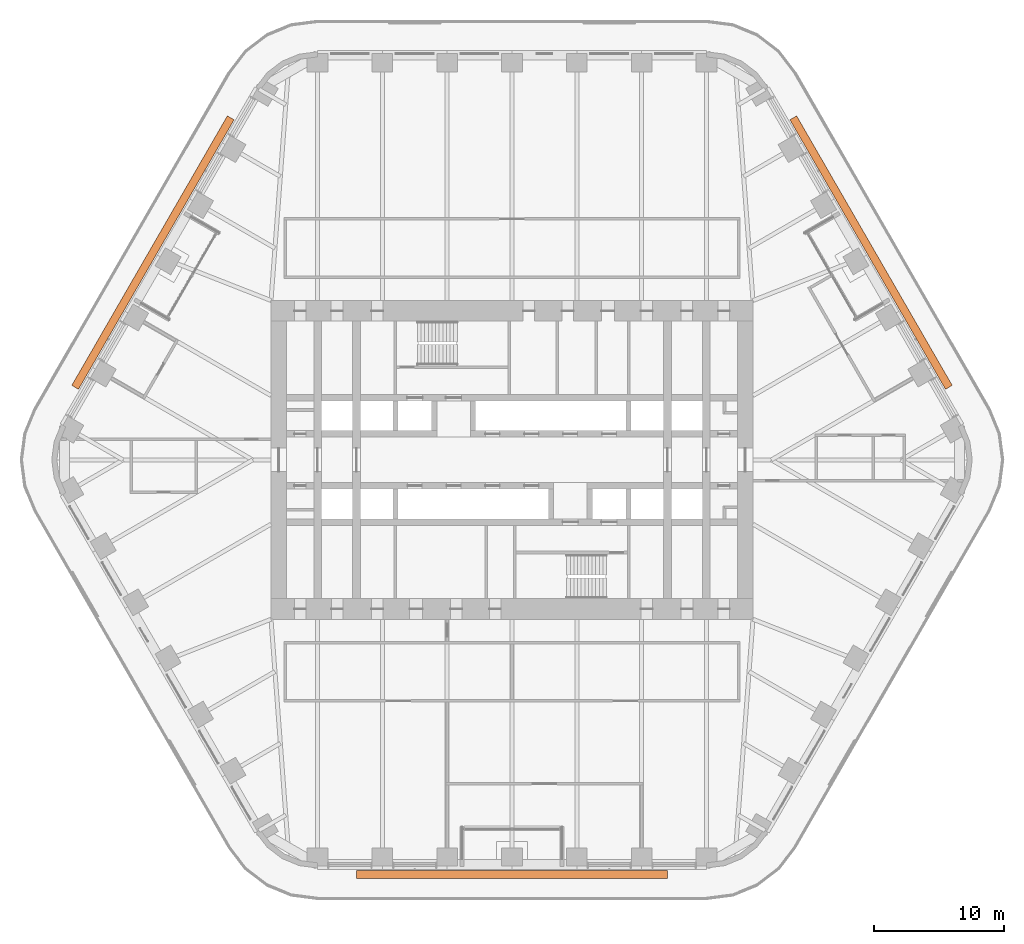
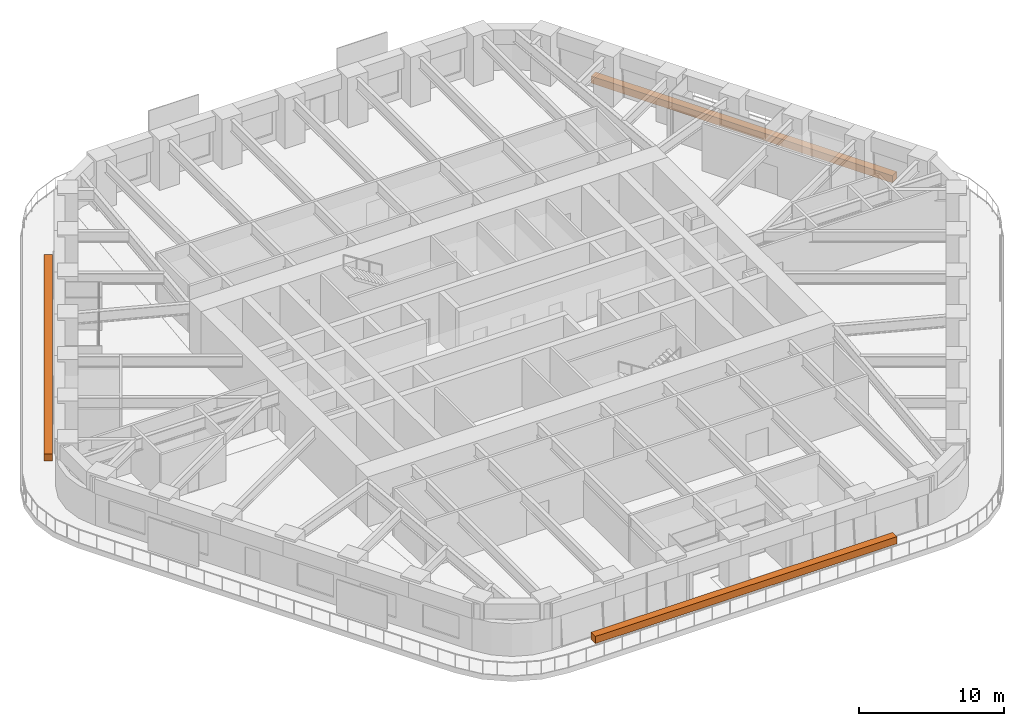
# One storey, part 24 of 24: 3 proxies.
"""IFC4 building model written with IfcOpenShell, lengths in metres."""

import ifcopenshell
import ifcopenshell.guid

model = None  # the IFC model being written
_history = None  # IfcOwnerHistory: only IFC2X3 demands one
_inside = {}  # id of a spatial element -> (the spatial element, [elements in it])
_under = {}  # id of a project, library or spatial element -> (it, [spatial elements below it])
_declared = {}  # id of a project -> (the project, [libraries it declares])
_typed = {}  # id of a type object -> (the type object, [elements of that type])
_made_of = {}  # id of a material, layer set ... -> (it, [elements and type objects made of it])


def new_model(schema):
    """Start an empty IFC model of exactly this schema.

    Asked for "IFC4X3", IfcOpenShell would pick the latest addendum, in which some entities
    have other attributes; the version numbers below select the first issue.
    IFC2X3 requires an IfcOwnerHistory on every rooted entity: one is made here for all.
    """
    global model, _history
    if schema == "IFC4X3":
        model = ifcopenshell.file(schema_version=(4, 3, 0, 0))
    else:
        model = ifcopenshell.file(schema=schema)
    _inside.clear()
    _under.clear()
    _declared.clear()
    _typed.clear()
    _made_of.clear()
    _history = None
    if model.schema == "IFC2X3":
        org = make("IfcOrganization", Name="unknown")
        user = make(
            "IfcPersonAndOrganization",
            ThePerson=make("IfcPerson", FamilyName="unknown"),
            TheOrganization=org,
        )
        app = make(
            "IfcApplication",
            ApplicationDeveloper=org,
            Version="unknown",
            ApplicationFullName="unknown",
            ApplicationIdentifier="unknown",
        )
        _history = make(
            "IfcOwnerHistory",
            OwningUser=user,
            OwningApplication=app,
            ChangeAction="ADDED",
            CreationDate=0,
        )
    return model


def make(cls, **values):
    """One entity of the class cls with the attributes given. An attribute that is None is left unset."""
    return model.create_entity(
        cls, **{name: value for name, value in values.items() if value is not None}
    )


def rooted(cls, **values):
    """An entity with a GlobalId (a new one), such as an element, a storey or a relation."""
    return make(cls, GlobalId=ifcopenshell.guid.new(), OwnerHistory=_history, **values)


def si_unit(unit_type, name, prefix=None):
    """IfcSIUnit, for example si_unit("LENGTHUNIT", "METRE", prefix="MILLI")."""
    return make("IfcSIUnit", UnitType=unit_type, Prefix=prefix, Name=name)


def assignment(units):
    """IfcUnitAssignment: the units of a project."""
    return None if units is None else make("IfcUnitAssignment", Units=units)


def point(xyz):
    """IfcCartesianPoint."""
    return None if xyz is None else make("IfcCartesianPoint", Coordinates=xyz)


def direction(xyz):
    """IfcDirection."""
    return None if xyz is None else make("IfcDirection", DirectionRatios=xyz)


def frame(location, z_axis=None, x_axis=None):
    """IfcAxis2Placement3D, a coordinate frame: its origin and axes. An axis left out is left unset."""
    return make(
        "IfcAxis2Placement3D",
        Location=point(location),
        Axis=direction(z_axis),
        RefDirection=direction(x_axis),
    )


def frame_2d(location, x_axis=None):
    """IfcAxis2Placement2D, a coordinate frame in the plane: its origin and x axis."""
    return make(
        "IfcAxis2Placement2D", Location=point(location), RefDirection=direction(x_axis)
    )


def origin():
    """The frame at (0, 0, 0) with its axes left unset."""
    return frame((0.0, 0.0, 0.0))


def origin_2d():
    """The frame at (0, 0) in the plane with its x axis left unset."""
    return frame_2d((0.0, 0.0))


def place(relative_to, where):
    """IfcLocalPlacement: puts the frame where relative to a parent placement (None: the world)."""
    return make(
        "IfcLocalPlacement", PlacementRelTo=relative_to, RelativePlacement=where
    )


def context(
    kind, dimensions, precision=None, world=None, true_north=None, identifier=None
):
    """IfcGeometricRepresentationContext, for example the 3D "Model" context."""
    return make(
        "IfcGeometricRepresentationContext",
        ContextIdentifier=identifier,
        ContextType=kind,
        CoordinateSpaceDimension=dimensions,
        Precision=precision,
        WorldCoordinateSystem=world,
        TrueNorth=true_north,
    )


def subcontext(parent, identifier, kind, view, scale=None):
    """IfcGeometricRepresentationSubContext, for example "Body" below "Model"."""
    return make(
        "IfcGeometricRepresentationSubContext",
        ContextIdentifier=identifier,
        ContextType=kind,
        ParentContext=parent,
        TargetScale=scale,
        TargetView=view,
    )


def project(units=None, contexts=None):
    """IfcProject with its units and contexts."""
    return rooted(
        "IfcProject",
        Name="project",
        RepresentationContexts=contexts,
        UnitsInContext=assignment(units),
    )


def spatial(cls, under=None, at=None, **own):
    """A site, building, storey or space (cls), placed at a placement, below another one or the project."""
    s = rooted(cls, ObjectPlacement=at, **own)
    if under is not None:
        _under.setdefault(under.id(), (under, []))[1].append(s)
    return s


def profile(cls, at=None, kind="AREA", **sizes):
    """A parametric profile (cls). Its sizes go by their IFC names, for example OverallWidth=200.0."""
    return make(cls, ProfileType=kind, Position=at, **sizes)


def rectangle(**sizes):
    """IfcRectangleProfileDef."""
    return profile("IfcRectangleProfileDef", **sizes)


def extrude(swept, where, along, depth):
    """IfcExtrudedAreaSolid: the profile swept, set in the frame where, extruded along a direction by depth."""
    return make(
        "IfcExtrudedAreaSolid",
        SweptArea=swept,
        Position=where,
        ExtrudedDirection=direction(along),
        Depth=depth,
    )


def shape(context_of_items, identifier, shape_type, items):
    """IfcShapeRepresentation: the items that make up one representation, for example the "Body"."""
    return make(
        "IfcShapeRepresentation",
        ContextOfItems=context_of_items,
        RepresentationIdentifier=identifier,
        RepresentationType=shape_type,
        Items=items,
    )


def material(Name=None, Category=None):
    """IfcMaterial."""
    return make("IfcMaterial", Name=Name, Category=Category)


def made_of(thing, what):
    """Note that an element or type object is made of a material, layer set ...; save() writes the relation."""
    if what is not None:
        _made_of.setdefault(what.id(), (what, []))[1].append(thing)
    return thing


def element(
    cls,
    number,
    at=None,
    inside=None,
    cuts=None,
    type_object=None,
    material=None,
    context=None,
    identifier="Body",
    shape_type=None,
    held_by="IfcProductDefinitionShape",
    body=None,
    shapes=None,
    **own,
):
    """One element of the class cls, such as IfcWall. Its Tag is "e" and its number.

    at: its placement. inside: the storey or other place that contains it. cuts: it is an
    opening in that element (IfcRelVoidsElement). A single representation is given by context,
    identifier, shape_type and body (its items); several are given by shapes. held_by: the class
    of the entity that holds the representations. save() writes the other relations.
    """
    e = rooted(cls, Tag="e%d" % number, ObjectPlacement=at, **own)
    if body is not None:
        shapes = [shape(context, identifier, shape_type, body)]
    if shapes is not None:
        e.Representation = make(held_by, Representations=shapes)
    if inside is not None:
        _inside.setdefault(inside.id(), (inside, []))[1].append(e)
    if cuts is not None:
        rooted(
            "IfcRelVoidsElement", RelatingBuildingElement=cuts, RelatedOpeningElement=e
        )
    if type_object is not None:
        _typed.setdefault(type_object.id(), (type_object, []))[1].append(e)
    return made_of(e, material)


def aggregate(whole, parts):
    """IfcRelAggregates: a whole, such as a stair, and the parts it consists of."""
    return rooted("IfcRelAggregates", RelatingObject=whole, RelatedObjects=parts)


def save(model, path):
    """Write the relations noted so far, then the file.

    IfcRelAggregates (storeys below a building ...), IfcRelContainedInSpatialStructure (elements
    in a storey), IfcRelDefinesByType, IfcRelAssociatesMaterial and IfcRelDeclares: one each for
    every whole, place, type object, material and project.
    """
    for whole, parts in _under.values():
        aggregate(whole, parts)
    for where, things in _inside.values():
        rooted(
            "IfcRelContainedInSpatialStructure",
            RelatedElements=things,
            RelatingStructure=where,
        )
    for kind, things in _typed.values():
        rooted("IfcRelDefinesByType", RelatedObjects=things, RelatingType=kind)
    for what, things in _made_of.values():
        rooted("IfcRelAssociatesMaterial", RelatedObjects=things, RelatingMaterial=what)
    for by, libraries in _declared.values():
        rooted("IfcRelDeclares", RelatingContext=by, RelatedDefinitions=libraries)
    model.write(path)


model = new_model("IFC4")

# Units and contexts
model_context = context("Model", 3, precision=1e-05, world=origin(), true_north=direction((0.0, 1.0)))
body_context = subcontext(model_context, "Body", "Model", "MODEL_VIEW")
ifc_project = project(units=[si_unit("LENGTHUNIT", "METRE"), si_unit("AREAUNIT", "SQUARE_METRE"), si_unit("VOLUMEUNIT", "CUBIC_METRE"), si_unit("PLANEANGLEUNIT", "RADIAN"), si_unit("MASSUNIT", "GRAM", prefix="KILO")], contexts=[model_context])

# Site, building, storey
site_placement = place(None, origin())
site = spatial("IfcSite", under=ifc_project, at=site_placement, CompositionType="ELEMENT")
building_placement = place(site_placement, origin())
building = spatial("IfcBuilding", under=site, at=building_placement, Name="Tarfa Lantern Tower", CompositionType="ELEMENT")
storey_placement = place(building_placement, frame((0.0, 0.0, 174.10009765625)))
storey = spatial("IfcBuildingStorey", under=building, at=storey_placement, Name="L39", CompositionType="ELEMENT", Elevation=174.10009765625)

# Proxies
ifc_material = material(Name="Planting bed")
for number, where, z_axis, x_axis, name in (
    (1, (27.712890625, 16.0, -0.000244140625), (0.0, 0.0, 1.0), (-0.5, 0.866025403784, 0.0), "Balcony planter"),
    (2, (-27.712890625, 16.0, -0.000244140625), (0.0, 0.0, 1.0), (-0.5, -0.866025403784, 0.0), "Balcony planter"),
    (3, (0.0, -32.0, -0.000244140625), (0.0, 0.0, 1.0), (1.0, 0.0, 0.0), "Balcony planter"),
):
    element("IfcBuildingElementProxy", number, at=place(storey_placement, frame(where, z_axis=z_axis, x_axis=x_axis)), inside=storey, material=ifc_material, Name=name, ObjectType="PLANTER", PredefinedType="USERDEFINED", context=body_context, shape_type="SweptSolid", body=[
        extrude(rectangle(XDim=24.017822265625, YDim=0.60009765625, at=origin_2d()), origin(), (0.0, 0.0, 1.0), 0.60009765625),
    ])

save(model, "model.ifc")
